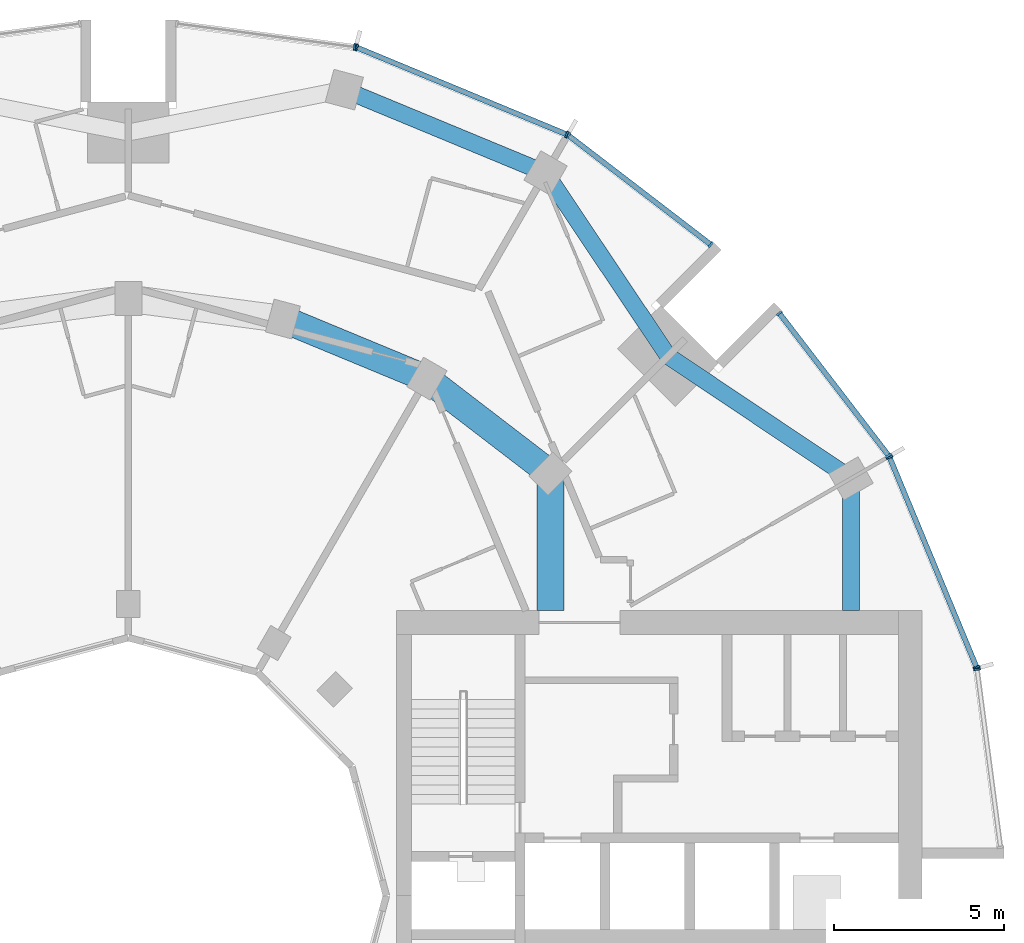
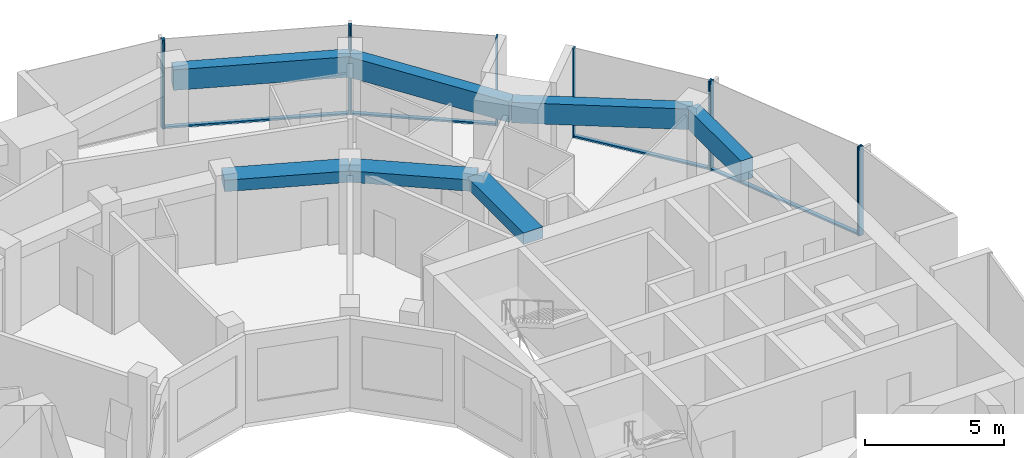
# One storey, part 6 of 15: 14 members, 7 beams, 6 elements without a shape of their own.
"""IFC4 building model written with IfcOpenShell, lengths in metres."""

from ifc_helpers import new_model, si_unit, direction, frame, origin, origin_2d, place, context, subcontext, project, spatial, rectangle, extrude, material, layer, layer_set, material_profile, profile_set, type_object, element, aggregate, save


model = new_model("IFC4")

# Units and contexts
model_context = context("Model", 3, precision=1e-05, world=origin(), true_north=direction((0.0, 1.0)))
body_context = subcontext(model_context, "Body", "Model", "MODEL_VIEW")
ifc_project = project(units=[si_unit("LENGTHUNIT", "METRE"), si_unit("AREAUNIT", "SQUARE_METRE"), si_unit("VOLUMEUNIT", "CUBIC_METRE"), si_unit("PLANEANGLEUNIT", "RADIAN"), si_unit("MASSUNIT", "GRAM", prefix="KILO")], contexts=[model_context])

# Site, building, storey
site_placement = place(None, origin())
site = spatial("IfcSite", under=ifc_project, at=site_placement, CompositionType="ELEMENT")
building_placement = place(site_placement, origin())
building = spatial("IfcBuilding", under=site, at=building_placement, Name="Torre Brocal", CompositionType="ELEMENT")
storey_placement = place(building_placement, frame((0.0, 0.0, 134.10009765625)))
storey = spatial("IfcBuildingStorey", under=building, at=storey_placement, Name="L31", CompositionType="ELEMENT", Elevation=134.10009765625)

# Curtain wall, members
ifc_material_1 = material(Name="Aluminium and glass", Category="aluminium")
ifc_layer_1 = layer(ifc_material_1, 0.199951171875)
ifc_layer_set_1 = layer_set([ifc_layer_1], Name="Aluminium and glass")
curtain_wall_type_1 = type_object("IfcCurtainWallType", Name="CW-1 CURTAIN WALL 3900 HIGH", PredefinedType="NOTDEFINED", material=ifc_layer_set_1)
curtain_wall_1_placement = place(storey_placement, origin())
curtain_wall_1 = element("IfcCurtainWall", 1, at=curtain_wall_1_placement, inside=storey, type_object=curtain_wall_type_1, Name="CW-1 RUN 2", PredefinedType="NOTDEFINED")
ifc_material_2 = material(Name="Aluminium, dark anodised", Category="aluminium")
ifc_material_profile_1 = material_profile(ifc_material_2, rectangle(XDim=0.199951171875, YDim=0.06005859375, at=origin_2d()), Name="CW-1 MULLION 60X200")
ifc_profile_set_1 = profile_set([ifc_material_profile_1], Name="Aluminium, dark anodised")
member_type_1 = type_object("IfcMemberType", Name="CW-1 MULLION 60X200", PredefinedType="MULLION", material=ifc_profile_set_1)
member_1_placement = place(storey_placement, frame((105.005126953125, 81.73095703125, 0.0), z_axis=(0.0, 0.0, 1.0), x_axis=(-0.923879532525, -0.382683432333, 0.0)))
member_1 = element("IfcMember", 2, at=member_1_placement, type_object=member_type_1, Name="CW1-3 mullion 1", PredefinedType="MULLION", context=body_context, shape_type="SweptSolid", body=[
    extrude(rectangle(XDim=0.199951171875, YDim=0.06005859375, at=origin_2d()), origin(), (0.0, 0.0, 1.0), 3.89990234375),
])
member_2_placement = place(storey_placement, frame((102.440673828125, 87.921875, 0.0), z_axis=(0.0, 0.0, 1.0), x_axis=(-0.923879532525, -0.382683432333, 0.0)))
member_2 = element("IfcMember", 3, at=member_2_placement, type_object=member_type_1, Name="CW1-3 mullion 2", PredefinedType="MULLION", context=body_context, shape_type="SweptSolid", body=[
    extrude(rectangle(XDim=0.199951171875, YDim=0.06005859375, at=origin_2d()), origin(), (0.0, 0.0, 1.0), 3.89990234375),
])

curtain_wall_2_placement = place(storey_placement, origin())
curtain_wall_2 = element("IfcCurtainWall", 4, at=curtain_wall_2_placement, inside=storey, type_object=curtain_wall_type_1, Name="CW-1 RUN 3", PredefinedType="NOTDEFINED")
member_3_placement = place(storey_placement, frame((102.4111328125, 87.973388671875, 0.0), z_axis=(0.0, 0.0, 1.0), x_axis=(-0.793353340259, -0.60876142905, 0.0)))
member_3 = element("IfcMember", 5, at=member_3_placement, type_object=member_type_1, Name="CW1-3 mullion 1", PredefinedType="MULLION", context=body_context, shape_type="SweptSolid", body=[
    extrude(rectangle(XDim=0.199951171875, YDim=0.06005859375, at=origin_2d()), origin(), (0.0, 0.0, 1.0), 3.89990234375),
])
member_4_placement = place(storey_placement, frame((99.19140625, 92.16943359375, 0.0), z_axis=(0.0, 0.0, 1.0), x_axis=(-0.793353340259, -0.60876142905, 0.0)))
member_4 = element("IfcMember", 6, at=member_4_placement, type_object=member_type_1, Name="CW1-3 mullion 2", PredefinedType="MULLION", context=body_context, shape_type="SweptSolid", body=[
    extrude(rectangle(XDim=0.199951171875, YDim=0.06005859375, at=origin_2d()), origin(), (0.0, 0.0, 1.0), 3.89990234375),
])

curtain_wall_3_placement = place(storey_placement, origin())
curtain_wall_3 = element("IfcCurtainWall", 7, at=curtain_wall_3_placement, inside=storey, type_object=curtain_wall_type_1, Name="CW-1 RUN 4", PredefinedType="NOTDEFINED")
member_5_placement = place(storey_placement, frame((97.16943359375, 94.19140625, 0.0), z_axis=(0.0, 0.0, 1.0), x_axis=(-0.60876142905, -0.793353340259, 0.0)))
member_5 = element("IfcMember", 8, at=member_5_placement, type_object=member_type_1, Name="CW1-3 mullion 1", PredefinedType="MULLION", context=body_context, shape_type="SweptSolid", body=[
    extrude(rectangle(XDim=0.199951171875, YDim=0.06005859375, at=origin_2d()), origin(), (0.0, 0.0, 1.0), 3.89990234375),
])
member_6_placement = place(storey_placement, frame((92.973388671875, 97.4111328125, 0.0), z_axis=(0.0, 0.0, 1.0), x_axis=(-0.60876142905, -0.793353340259, 0.0)))
member_6 = element("IfcMember", 9, at=member_6_placement, type_object=member_type_1, Name="CW1-3 mullion 2", PredefinedType="MULLION", context=body_context, shape_type="SweptSolid", body=[
    extrude(rectangle(XDim=0.199951171875, YDim=0.06005859375, at=origin_2d()), origin(), (0.0, 0.0, 1.0), 3.89990234375),
])

curtain_wall_4_placement = place(storey_placement, origin())
curtain_wall_4 = element("IfcCurtainWall", 10, at=curtain_wall_4_placement, inside=storey, type_object=curtain_wall_type_1, Name="CW-1 RUN 5", PredefinedType="NOTDEFINED")
member_7_placement = place(storey_placement, frame((92.921875, 97.440673828125, 0.0), z_axis=(0.0, 0.0, 1.0), x_axis=(-0.382683432333, -0.923879532525, 0.0)))
member_7 = element("IfcMember", 11, at=member_7_placement, type_object=member_type_1, Name="CW1-3 mullion 1", PredefinedType="MULLION", context=body_context, shape_type="SweptSolid", body=[
    extrude(rectangle(XDim=0.199951171875, YDim=0.06005859375, at=origin_2d()), origin(), (0.0, 0.0, 1.0), 3.89990234375),
])
member_8_placement = place(storey_placement, frame((86.73095703125, 100.005126953125, 0.0), z_axis=(0.0, 0.0, 1.0), x_axis=(-0.382683432333, -0.923879532525, 0.0)))
member_8 = element("IfcMember", 12, at=member_8_placement, type_object=member_type_1, Name="CW1-3 mullion 2", PredefinedType="MULLION", context=body_context, shape_type="SweptSolid", body=[
    extrude(rectangle(XDim=0.199951171875, YDim=0.06005859375, at=origin_2d()), origin(), (0.0, 0.0, 1.0), 3.89990234375),
])

# Curtain wall, member
curtain_wall_5_placement = place(storey_placement, origin())
curtain_wall_5 = element("IfcCurtainWall", 13, at=curtain_wall_5_placement, inside=storey, type_object=curtain_wall_type_1, Name="CW-1 RUN 6", PredefinedType="NOTDEFINED")
member_9_placement = place(storey_placement, frame((86.67333984375, 100.0205078125, 0.0), z_axis=(0.0, 0.0, 1.0), x_axis=(-0.13052619222, -0.991444861374, 0.0)))
member_9 = element("IfcMember", 14, at=member_9_placement, type_object=member_type_1, Name="CW1-3 mullion 1", PredefinedType="MULLION", context=body_context, shape_type="SweptSolid", body=[
    extrude(rectangle(XDim=0.199951171875, YDim=0.06005859375, at=origin_2d()), origin(), (0.0, 0.0, 1.0), 3.89990234375),
])
aggregate(curtain_wall_5, [member_9])

# Member
ifc_material_3 = material(Name="Aluminium, dark anodised", Category="aluminium")
ifc_material_profile_2 = material_profile(ifc_material_3, rectangle(XDim=0.159912109375, YDim=0.080078125, at=origin_2d()), Name="CW-1 TRANSOM 160X80")
ifc_profile_set_2 = profile_set([ifc_material_profile_2], Name="Aluminium, dark anodised")
member_type_2 = type_object("IfcMemberType", Name="CW-1 TRANSOM 160X80", PredefinedType="USERDEFINED", material=ifc_profile_set_2)
member_10_placement = place(storey_placement, frame((104.99365234375, 81.758544921875, 0.039794921875), z_axis=(-0.38266457234, 0.923887344364, 0.0), x_axis=(-0.923887344364, -0.38266457234, 0.0)))
member_10 = element("IfcMember", 15, at=member_10_placement, type_object=member_type_2, Name="CW1-3 transom 1.1", ObjectType="TRANSOM", PredefinedType="USERDEFINED", context=body_context, shape_type="SweptSolid", body=[
    extrude(rectangle(XDim=0.159912109375, YDim=0.080078125, at=origin_2d()), origin(), (0.0, 0.0, 1.0), 6.640869140625),
])

aggregate(curtain_wall_1, [member_1, member_2, member_10])

member_11_placement = place(storey_placement, frame((102.392822265625, 87.9970703125, 0.039794921875), z_axis=(-0.60874908096, 0.79336281513, 0.0), x_axis=(-0.79336281513, -0.60874908096, 0.0)))
member_11 = element("IfcMember", 16, at=member_11_placement, type_object=member_type_2, Name="CW1-3 transom 1.1", ObjectType="TRANSOM", PredefinedType="USERDEFINED", context=body_context, shape_type="SweptSolid", body=[
    extrude(rectangle(XDim=0.159912109375, YDim=0.080078125, at=origin_2d()), origin(), (0.0, 0.0, 1.0), 5.22900390625),
])

aggregate(curtain_wall_2, [member_3, member_4, member_11])

member_12_placement = place(storey_placement, frame((97.1455078125, 94.209716796875, 0.039794921875), z_axis=(-0.79336281513, 0.60874908096, 0.0), x_axis=(-0.60874908096, -0.79336281513, 0.0)))
member_12 = element("IfcMember", 17, at=member_12_placement, type_object=member_type_2, Name="CW1-3 transom 1.1", ObjectType="TRANSOM", PredefinedType="USERDEFINED", context=body_context, shape_type="SweptSolid", body=[
    extrude(rectangle(XDim=0.159912109375, YDim=0.080078125, at=origin_2d()), origin(), (0.0, 0.0, 1.0), 5.22900390625),
])

aggregate(curtain_wall_3, [member_5, member_6, member_12])

member_13_placement = place(storey_placement, frame((92.89404296875, 97.452392578125, 0.039794921875), z_axis=(-0.923887344364, 0.38266457234, 0.0), x_axis=(-0.38266457234, -0.923887344364, 0.0)))
member_13 = element("IfcMember", 18, at=member_13_placement, type_object=member_type_2, Name="CW1-3 transom 1.1", ObjectType="TRANSOM", PredefinedType="USERDEFINED", context=body_context, shape_type="SweptSolid", body=[
    extrude(rectangle(XDim=0.159912109375, YDim=0.080078125, at=origin_2d()), origin(), (0.0, 0.0, 1.0), 6.640869140625),
])

aggregate(curtain_wall_4, [member_7, member_8, member_13])

# Curtain wall, member
ifc_material_4 = material(Name="Aluminium and glass", Category="aluminium")
ifc_layer_2 = layer(ifc_material_4, 0.199951171875)
ifc_layer_set_2 = layer_set([ifc_layer_2], Name="Aluminium and glass")
curtain_wall_type_2 = type_object("IfcCurtainWallType", Name="CW-1B CURTAIN WALL 3900 HIGH", PredefinedType="NOTDEFINED", material=ifc_layer_set_2)
curtain_wall_6_placement = place(storey_placement, origin())
curtain_wall_6 = element("IfcCurtainWall", 19, at=curtain_wall_6_placement, inside=storey, type_object=curtain_wall_type_2, Name="CW-1B RUN 1", PredefinedType="NOTDEFINED")
ifc_material_5 = material(Name="Aluminium, dark anodised", Category="aluminium")
ifc_material_profile_3 = material_profile(ifc_material_5, rectangle(XDim=0.199951171875, YDim=0.06005859375, at=origin_2d()), Name="CW-1B MULLION 60X200")
ifc_profile_set_3 = profile_set([ifc_material_profile_3], Name="Aluminium, dark anodised")
member_type_3 = type_object("IfcMemberType", Name="CW-1B MULLION 60X200", PredefinedType="MULLION", material=ifc_profile_set_3)
member_14_placement = place(storey_placement, frame((105.0205078125, 81.67333984375, 0.0), z_axis=(0.0, 0.0, 1.0), x_axis=(-0.991444861374, -0.13052619222, 0.0)))
member_14 = element("IfcMember", 20, at=member_14_placement, type_object=member_type_3, Name="CW1B-3 mullion 2", PredefinedType="MULLION", context=body_context, shape_type="SweptSolid", body=[
    extrude(rectangle(XDim=0.199951171875, YDim=0.06005859375, at=origin_2d()), origin(), (0.0, 0.0, 1.0), 3.89990234375),
])
aggregate(curtain_wall_6, [member_14])

# Beams
ifc_material_6 = material(Name="Concrete C50", Category="concrete")
ifc_material_profile_4 = material_profile(ifc_material_6, rectangle(XDim=0.800048828125, YDim=0.5, at=origin_2d()), Name="RC 800X500")
ifc_profile_set_4 = profile_set([ifc_material_profile_4], Name="Concrete C50")
beam_type_1 = type_object("IfcBeamType", Name="RC BEAM 800X500 C50 TOP 3580", PredefinedType="BEAM", material=ifc_profile_set_4)
beam_1_placement = place(storey_placement, frame((92.445068359375, 87.445068359375, 3.329833984375), z_axis=(-0.793358265959, 0.6087550097, 0.0), x_axis=(-0.6087550097, -0.793358265959, 0.0)))
element("IfcBeam", 21, at=beam_1_placement, inside=storey, type_object=beam_type_1, Name="Beam BT-28", PredefinedType="BEAM", context=body_context, shape_type="SweptSolid", body=[
    extrude(rectangle(XDim=0.800048828125, YDim=0.5, at=origin_2d()), origin(), (0.0, 0.0, 1.0), 4.594482421875),
])
beam_2_placement = place(storey_placement, frame((88.800048828125, 90.241943359375, 3.329833984375), z_axis=(-0.923878240166, 0.382686552348, 0.0), x_axis=(-0.382686552348, -0.923878240166, 0.0)))
element("IfcBeam", 22, at=beam_2_placement, inside=storey, type_object=beam_type_1, Name="Beam BT-28", PredefinedType="BEAM", context=body_context, shape_type="SweptSolid", body=[
    extrude(rectangle(XDim=0.800048828125, YDim=0.5, at=origin_2d()), origin(), (0.0, 0.0, 1.0), 4.5947265625),
])
beam_3_placement = place(storey_placement, frame((92.445068359375, 87.445068359375, 3.329833984375), z_axis=(0.0, -1.0, 0.0), x_axis=(1.0, 0.0, 0.0)))
element("IfcBeam", 23, at=beam_3_placement, inside=storey, type_object=beam_type_1, Name="Beam BT-28", PredefinedType="BEAM", context=body_context, shape_type="SweptSolid", body=[
    extrude(rectangle(XDim=0.800048828125, YDim=0.5, at=origin_2d()), origin(), (0.0, 0.0, 1.0), 4.045166015625),
])
ifc_material_7 = material(Name="Concrete C50", Category="concrete")
ifc_material_profile_5 = material_profile(ifc_material_7, rectangle(XDim=0.5, YDim=0.89990234375, at=origin_2d()), Name="RC 500X900")
ifc_profile_set_5 = profile_set([ifc_material_profile_5], Name="Concrete C50")
beam_type_2 = type_object("IfcBeamType", Name="RC SPANDREL BEAM 500X900 C50 TOP 3580", PredefinedType="SPANDREL", material=ifc_profile_set_5)
for number, where, z_axis, x_axis, name in (
    (24, (101.30419921875, 87.300048828125, 3.1298828125), (-0.831076844476, 0.556157602282, 0.0), (-0.556157602282, -0.831076844476, 0.0), "Beam BT-29"),
    (25, (95.909912109375, 90.909912109375, 3.1298828125), (-0.556157602282, 0.831076844476, 0.0), (-0.831076844476, -0.556157602282, 0.0), "Beam BT-29"),
):
    element("IfcBeam", number, at=place(storey_placement, frame(where, z_axis=z_axis, x_axis=x_axis)), inside=storey, type_object=beam_type_2, Name=name, PredefinedType="SPANDREL", context=body_context, shape_type="SweptSolid", body=[
        extrude(rectangle(XDim=0.5, YDim=0.89990234375, at=origin_2d()), origin(), (0.0, 0.0, 1.0), 6.49072265625),
    ])
beam_4_placement = place(storey_placement, frame((92.300048828125, 96.30419921875, 3.1298828125), z_axis=(-0.923882462513, 0.382676358639, 0.0), x_axis=(-0.382676358639, -0.923882462513, 0.0)))
element("IfcBeam", 26, at=beam_4_placement, inside=storey, type_object=beam_type_2, Name="Beam BT-29", PredefinedType="SPANDREL", context=body_context, shape_type="SweptSolid", body=[
    extrude(rectangle(XDim=0.5, YDim=0.89990234375, at=origin_2d()), origin(), (0.0, 0.0, 1.0), 6.421875),
])
beam_5_placement = place(storey_placement, frame((101.30419921875, 87.300048828125, 3.1298828125), z_axis=(0.0, -1.0, 0.0), x_axis=(1.0, 0.0, 0.0)))
element("IfcBeam", 27, at=beam_5_placement, inside=storey, type_object=beam_type_2, Name="Beam BT-29", PredefinedType="SPANDREL", context=body_context, shape_type="SweptSolid", body=[
    extrude(rectangle(XDim=0.5, YDim=0.89990234375, at=origin_2d()), origin(), (0.0, 0.0, 1.0), 3.900146484375),
])

save(model, "model.ifc")
